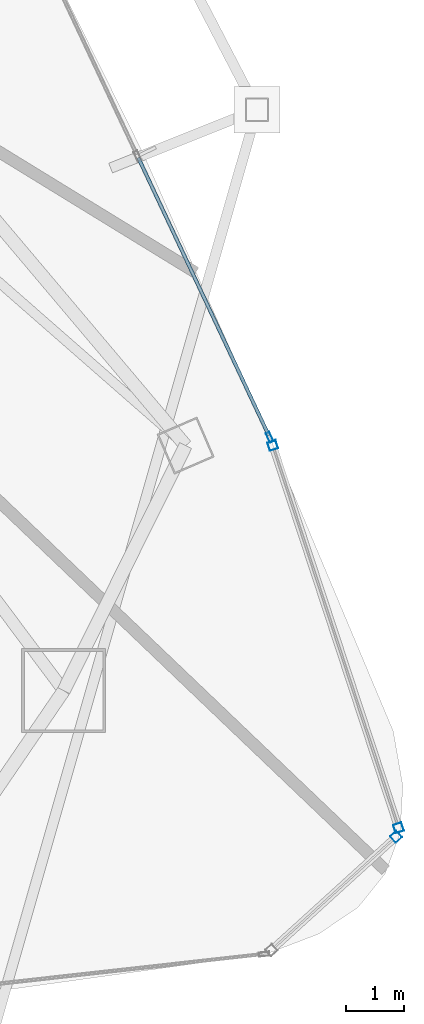
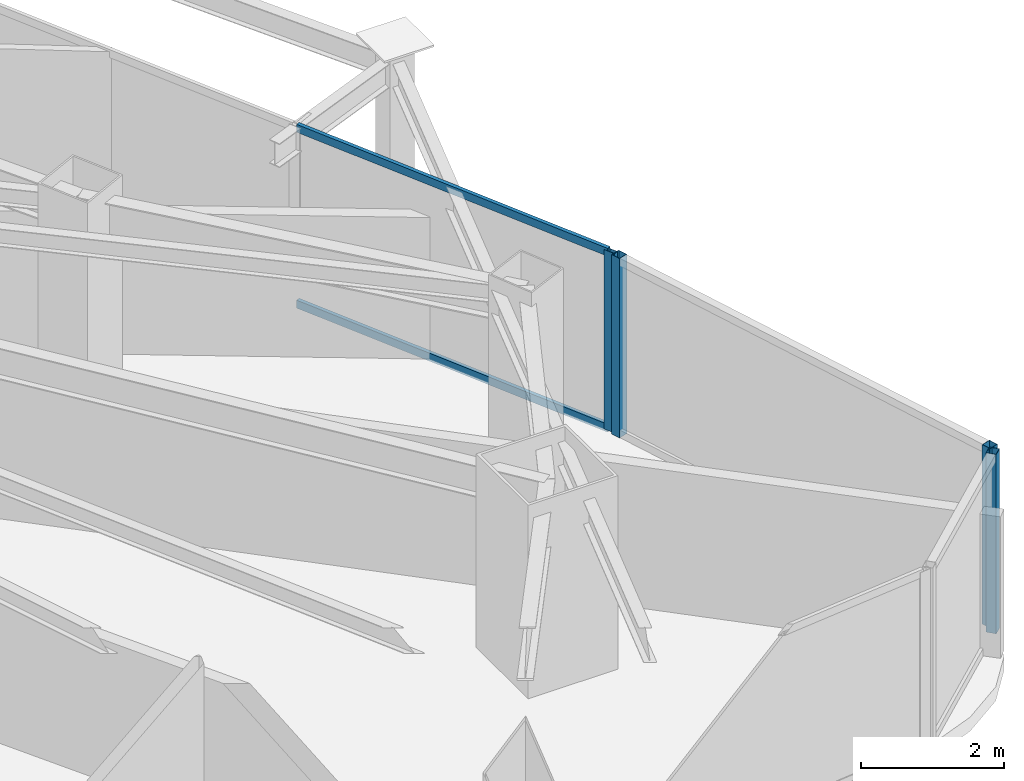
# One storey, part 15 of 29: 6 members, 3 elements without a shape of their own.
"""IFC4 building model written with IfcOpenShell, lengths in metres."""

from ifc_helpers import new_model, si_unit, direction, frame, origin, origin_2d, place, context, subcontext, project, spatial, hollow_rectangle, extrude, material, layer, layer_set, material_profile, profile_set, type_object, element, aggregate, save


model = new_model("IFC4")

# Units and contexts
model_context = context("Model", 3, precision=1e-05, world=origin(), true_north=direction((0.0, 1.0)))
body_context = subcontext(model_context, "Body", "Model", "MODEL_VIEW")
ifc_project = project(units=[si_unit("LENGTHUNIT", "METRE"), si_unit("AREAUNIT", "SQUARE_METRE"), si_unit("VOLUMEUNIT", "CUBIC_METRE"), si_unit("PLANEANGLEUNIT", "RADIAN"), si_unit("MASSUNIT", "GRAM", prefix="KILO")], contexts=[model_context])

# Site, building, storey
site_placement = place(None, origin())
site = spatial("IfcSite", under=ifc_project, at=site_placement, CompositionType="ELEMENT")
building_placement = place(site_placement, origin())
building = spatial("IfcBuilding", under=site, at=building_placement, Name="Orvanel Arch Residences", CompositionType="ELEMENT")
storey_placement = place(building_placement, frame((0.0, 0.0, 177.050048828125)))
storey = spatial("IfcBuildingStorey", under=building, at=storey_placement, Name="L50", CompositionType="ELEMENT", Elevation=177.050048828125)

# Curtain wall, member
ifc_material = material(Name="Bronze-anodised aluminium AA6063-T6", Category="aluminium")
ifc_layer_1 = layer(ifc_material, 0.18994140625)
ifc_layer_set_1 = layer_set([ifc_layer_1], Name="Bronze-anodised aluminium AA6063-T6")
curtain_wall_type_1 = type_object("IfcCurtainWallType", Name="CW5-CRN-SYS", PredefinedType="NOTDEFINED", material=ifc_layer_set_1)
curtain_wall_1_placement = place(storey_placement, origin())
curtain_wall_1 = element("IfcCurtainWall", 1, at=curtain_wall_1_placement, inside=storey, type_object=curtain_wall_type_1, Name="L50 CW5-CRN-SYS Unitised Curtain Wall", PredefinedType="NOTDEFINED")
ifc_material_profile_1 = material_profile(ifc_material, hollow_rectangle(XDim=0.14990234375, YDim=0.14990234375, WallThickness=0.0048828125, at=origin_2d()), Name="ALU150x150x5")
ifc_profile_set_1 = profile_set([ifc_material_profile_1], Name="Bronze-anodised aluminium AA6063-T6")
member_type_1 = type_object("IfcMemberType", Name="MUL-150x150", PredefinedType="MULLION", material=ifc_profile_set_1)
member_1_placement = place(storey_placement, frame((57.53759765625, 7.83056640625, 0.0), z_axis=(0.0, 0.0, 1.0), x_axis=(-0.672461234192, 0.740132345266, 0.0)))
member_1 = element("IfcMember", 2, at=member_1_placement, type_object=member_type_1, Name="CW-S5 mullion 2", PredefinedType="MULLION", context=body_context, shape_type="SweptSolid", body=[
    extrude(hollow_rectangle(XDim=0.14990234375, YDim=0.14990234375, WallThickness=0.0048828125, at=origin_2d()), origin(), (0.0, 0.0, 1.0), 3.06005859375),
])
aggregate(curtain_wall_1, [member_1])

# Curtain wall, members
curtain_wall_2_placement = place(storey_placement, origin())
curtain_wall_2 = element("IfcCurtainWall", 3, at=curtain_wall_2_placement, inside=storey, type_object=curtain_wall_type_1, Name="L50 CW5-CRN-SYS Unitised Curtain Wall", PredefinedType="NOTDEFINED")
member_2_placement = place(storey_placement, frame((57.57861328125, 7.984130859375, 0.0), z_axis=(0.0, 0.0, 1.0), x_axis=(-0.949943951015, -0.312420373744, 0.0)))
member_2 = element("IfcMember", 4, at=member_2_placement, type_object=member_type_1, Name="CW-S5 mullion 1", PredefinedType="MULLION", context=body_context, shape_type="SweptSolid", body=[
    extrude(hollow_rectangle(XDim=0.14990234375, YDim=0.14990234375, WallThickness=0.0048828125, at=origin_2d()), origin(), (0.0, 0.0, 1.0), 3.06005859375),
])
member_3_placement = place(storey_placement, frame((55.408447265625, 14.582763671875, 0.0), z_axis=(0.0, 0.0, 1.0), x_axis=(-0.949943951015, -0.312420373744, 0.0)))
member_3 = element("IfcMember", 5, at=member_3_placement, type_object=member_type_1, Name="CW-S5 mullion 2", PredefinedType="MULLION", context=body_context, shape_type="SweptSolid", body=[
    extrude(hollow_rectangle(XDim=0.14990234375, YDim=0.14990234375, WallThickness=0.0048828125, at=origin_2d()), origin(), (0.0, 0.0, 1.0), 3.06005859375),
])
aggregate(curtain_wall_2, [member_2, member_3])

ifc_layer_2 = layer(ifc_material, 0.179931640625)
ifc_layer_set_2 = layer_set([ifc_layer_2], Name="Bronze-anodised aluminium AA6063-T6")
curtain_wall_type_2 = type_object("IfcCurtainWallType", Name="CW3-MID-SYS", PredefinedType="NOTDEFINED", material=ifc_layer_set_2)
curtain_wall_3_placement = place(storey_placement, origin())
curtain_wall_3 = element("IfcCurtainWall", 6, at=curtain_wall_3_placement, inside=storey, type_object=curtain_wall_type_2, Name="L50 CW3-MID-SYS Unitised Curtain Wall", PredefinedType="NOTDEFINED")
ifc_material_profile_2 = material_profile(ifc_material, hollow_rectangle(XDim=0.070068359375, YDim=0.179931640625, WallThickness=0.00439453125, at=origin_2d()), Name="ALU180x70x4.5")
ifc_profile_set_2 = profile_set([ifc_material_profile_2], Name="Bronze-anodised aluminium AA6063-T6")
member_type_2 = type_object("IfcMemberType", Name="MUL-180x70", PredefinedType="MULLION", material=ifc_profile_set_2)
member_4_placement = place(storey_placement, frame((55.355224609375, 14.72265625, 0.0), z_axis=(0.0, 0.0, 1.0), x_axis=(-0.905089296983, -0.425221547533, 0.0)))
member_4 = element("IfcMember", 7, at=member_4_placement, type_object=member_type_2, Name="CW-S3 mullion 1", PredefinedType="MULLION", context=body_context, shape_type="SweptSolid", body=[
    extrude(hollow_rectangle(XDim=0.070068359375, YDim=0.179931640625, WallThickness=0.00439453125, at=origin_2d()), origin(), (0.0, 0.0, 1.0), 3.06005859375),
])
ifc_material_profile_3 = material_profile(ifc_material, hollow_rectangle(XDim=0.06005859375, YDim=0.135009765625, WallThickness=0.00390625, at=origin_2d()), Name="ALU135x60x4")
ifc_profile_set_3 = profile_set([ifc_material_profile_3], Name="Bronze-anodised aluminium AA6063-T6")
member_type_3 = type_object("IfcMemberType", Name="TRN-135x60", PredefinedType="USERDEFINED", material=ifc_profile_set_3)
member_5_placement = place(storey_placement, frame((55.34033203125, 14.75439453125, 0.030029296875), z_axis=(-0.42523722933, 0.905081929325, 0.0), x_axis=(-0.905081929325, -0.42523722933, 0.0)))
member_5 = element("IfcMember", 8, at=member_5_placement, type_object=member_type_3, Name="CW-S3 transom 1.1", ObjectType="TRANSOM", PredefinedType="USERDEFINED", context=body_context, shape_type="SweptSolid", body=[
    extrude(hollow_rectangle(XDim=0.06005859375, YDim=0.135009765625, WallThickness=0.00390625, at=origin_2d()), origin(), (0.0, 0.0, 1.0), 5.29345703125),
])
member_6_placement = place(storey_placement, frame((55.34033203125, 14.75439453125, 3.030029296875), z_axis=(-0.42523722933, 0.905081929325, 0.0), x_axis=(-0.905081929325, -0.42523722933, 0.0)))
member_6 = element("IfcMember", 9, at=member_6_placement, type_object=member_type_3, Name="CW-S3 transom 1.2", ObjectType="TRANSOM", PredefinedType="USERDEFINED", context=body_context, shape_type="SweptSolid", body=[
    extrude(hollow_rectangle(XDim=0.06005859375, YDim=0.135009765625, WallThickness=0.00390625, at=origin_2d()), origin(), (0.0, 0.0, 1.0), 5.29345703125),
])
aggregate(curtain_wall_3, [member_4, member_5, member_6])

save(model, "model.ifc")
